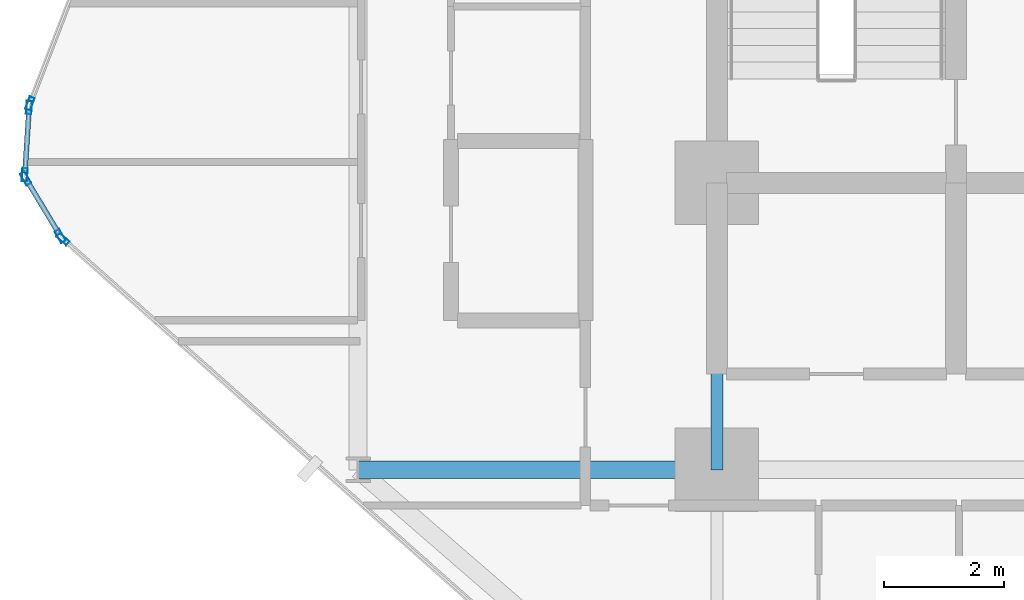
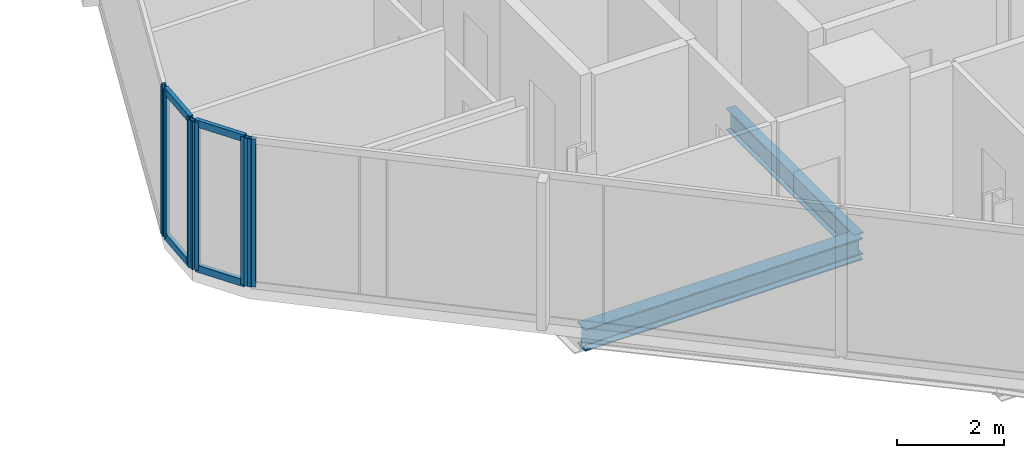
# One storey, part 5 of 34: 10 members, 2 beams, 4 elements without a shape of their own.
"""IFC4 building model written with IfcOpenShell, lengths in metres."""

from ifc_helpers import new_model, si_unit, direction, frame, origin, origin_2d, place, context, subcontext, project, spatial, hollow_rectangle, i_section, extrude, material, layer, layer_set, material_profile, profile_set, type_object, element, aggregate, save


model = new_model("IFC4")

# Units and contexts
model_context = context("Model", 3, precision=1e-05, world=origin(), true_north=direction((0.0, 1.0)))
body_context = subcontext(model_context, "Body", "Model", "MODEL_VIEW")
ifc_project = project(units=[si_unit("LENGTHUNIT", "METRE"), si_unit("AREAUNIT", "SQUARE_METRE"), si_unit("VOLUMEUNIT", "CUBIC_METRE"), si_unit("PLANEANGLEUNIT", "RADIAN"), si_unit("MASSUNIT", "GRAM", prefix="KILO")], contexts=[model_context])

# Site, building, storey
site_placement = place(None, origin())
site = spatial("IfcSite", under=ifc_project, at=site_placement, CompositionType="ELEMENT")
building_placement = place(site_placement, origin())
building = spatial("IfcBuilding", under=site, at=building_placement, Name="Keshet Zoharim Tower", CompositionType="ELEMENT")
storey_placement = place(building_placement, frame((0.0, 0.0, 38.800048828125)))
storey = spatial("IfcBuildingStorey", under=building, at=storey_placement, Name="L08", CompositionType="ELEMENT", Elevation=38.800048828125)

# Beams
ifc_material_1 = material(Name="Steel S355", Category="steel")
ifc_material_profile_1 = material_profile(ifc_material_1, i_section(OverallWidth=0.199951171875, OverallDepth=0.5, WebThickness=0.01025390625, FlangeThickness=0.01611328125, FilletRadius=0.02099609375, at=origin_2d()), Name="IPE500")
ifc_profile_set_1 = profile_set([ifc_material_profile_1], Name="Steel S355")
beam_type_1 = type_object("IfcBeamType", Name="BM-PRI-IP500", PredefinedType="BEAM", material=ifc_profile_set_1)
beam_1_placement = place(storey_placement, frame((15.0, 17.89990234375, -0.56494140625), z_axis=(0.0, 1.0, 0.0), x_axis=(-1.0, 0.0, 0.0)))
element("IfcBeam", 1, at=beam_1_placement, inside=storey, type_object=beam_type_1, Name="L08 Primary Girder Y-003", PredefinedType="BEAM", context=body_context, shape_type="SweptSolid", body=[
    extrude(i_section(OverallWidth=0.199951171875, OverallDepth=0.5, WebThickness=0.01025390625, FlangeThickness=0.01611328125, FilletRadius=0.02099609375, at=origin_2d()), origin(), (0.0, 0.0, 1.0), 4.800048828125),
])
ifc_material_profile_2 = material_profile(ifc_material_1, i_section(OverallWidth=0.300048828125, OverallDepth=0.5, WebThickness=0.014404296875, FlangeThickness=0.028076171875, FilletRadius=0.027099609375, at=origin_2d()), Name="HEB500")
ifc_profile_set_2 = profile_set([ifc_material_profile_2], Name="Steel S355")
beam_type_2 = type_object("IfcBeamType", Name="BM-WEB-HB500", PredefinedType="BEAM", material=ifc_profile_set_2)
beam_2_placement = place(storey_placement, frame((9.0, 17.89990234375, -0.56494140625), z_axis=(1.0, 0.0, 0.0), x_axis=(0.0, 1.0, 0.0)))
element("IfcBeam", 2, at=beam_2_placement, inside=storey, type_object=beam_type_2, Name="L08 Primary Girder X-015", PredefinedType="BEAM", context=body_context, shape_type="SweptSolid", body=[
    extrude(i_section(OverallWidth=0.300048828125, OverallDepth=0.5, WebThickness=0.014404296875, FlangeThickness=0.028076171875, FilletRadius=0.027099609375, at=origin_2d()), origin(), (0.0, 0.0, 1.0), 6.0),
])

# Curtain wall, member
ifc_material_2 = material(Name="Aluminium 6063-T6", Category="aluminium")
ifc_layer = layer(ifc_material_2, 0.179931640625)
ifc_layer_set = layer_set([ifc_layer], Name="Aluminium 6063-T6")
curtain_wall_type = type_object("IfcCurtainWallType", Name="CW-SYS-01", PredefinedType="NOTDEFINED", material=ifc_layer_set)
curtain_wall_1_placement = place(storey_placement, origin())
curtain_wall_1 = element("IfcCurtainWall", 3, at=curtain_wall_1_placement, inside=storey, type_object=curtain_wall_type, Name="L08 Unitised Curtain Wall 01", PredefinedType="NOTDEFINED")
ifc_material_profile_3 = material_profile(ifc_material_2, hollow_rectangle(XDim=0.090087890625, YDim=0.219970703125, WallThickness=0.0048828125, at=origin_2d()), Name="MUL-90x220")
ifc_profile_set_3 = profile_set([ifc_material_profile_3], Name="Aluminium 6063-T6")
member_type_1 = type_object("IfcMemberType", Name="CWM-M22", PredefinedType="MULLION", material=ifc_profile_set_3)
member_1_placement = place(storey_placement, frame((4.061279296875, 21.7568359375, 0.0), z_axis=(0.0, 0.0, 1.0), x_axis=(-0.664363838836, -0.747409318679, 0.0)))
member_1 = element("IfcMember", 4, at=member_1_placement, type_object=member_type_1, Name="CW-01 mullion 3", PredefinedType="MULLION", context=body_context, shape_type="SweptSolid", body=[
    extrude(hollow_rectangle(XDim=0.090087890625, YDim=0.219970703125, WallThickness=0.0048828125, at=origin_2d()), origin(), (0.0, 0.0, 1.0), 3.385009765625),
])
aggregate(curtain_wall_1, [member_1])

# Curtain wall, members
curtain_wall_2_placement = place(storey_placement, origin())
curtain_wall_2 = element("IfcCurtainWall", 5, at=curtain_wall_2_placement, inside=storey, type_object=curtain_wall_type, Name="L08 Unitised Curtain Wall 02", PredefinedType="NOTDEFINED")
member_2_placement = place(storey_placement, frame((4.016845703125, 21.81005859375, 0.0), z_axis=(0.0, 0.0, 1.0), x_axis=(-0.856826433805, -0.515604947933, 0.0)))
member_2 = element("IfcMember", 6, at=member_2_placement, type_object=member_type_1, Name="CW-01 mullion 1", PredefinedType="MULLION", context=body_context, shape_type="SweptSolid", body=[
    extrude(hollow_rectangle(XDim=0.090087890625, YDim=0.219970703125, WallThickness=0.0048828125, at=origin_2d()), origin(), (0.0, 0.0, 1.0), 3.385009765625),
])
member_3_placement = place(storey_placement, frame((3.43798828125, 22.77197265625, 0.0), z_axis=(0.0, 0.0, 1.0), x_axis=(-0.856826433805, -0.515604947933, 0.0)))
member_3 = element("IfcMember", 7, at=member_3_placement, type_object=member_type_1, Name="CW-01 mullion 2", PredefinedType="MULLION", context=body_context, shape_type="SweptSolid", body=[
    extrude(hollow_rectangle(XDim=0.090087890625, YDim=0.219970703125, WallThickness=0.0048828125, at=origin_2d()), origin(), (0.0, 0.0, 1.0), 3.385009765625),
])

curtain_wall_3_placement = place(storey_placement, origin())
curtain_wall_3 = element("IfcCurtainWall", 8, at=curtain_wall_3_placement, inside=storey, type_object=curtain_wall_type, Name="L08 Unitised Curtain Wall 03", PredefinedType="NOTDEFINED")
member_4_placement = place(storey_placement, frame((3.42236328125, 22.8369140625, 0.0), z_axis=(0.0, 0.0, 1.0), x_axis=(-0.997916617186, 0.064516859374, 0.0)))
member_4 = element("IfcMember", 9, at=member_4_placement, type_object=member_type_1, Name="CW-01 mullion 1", PredefinedType="MULLION", context=body_context, shape_type="SweptSolid", body=[
    extrude(hollow_rectangle(XDim=0.090087890625, YDim=0.219970703125, WallThickness=0.0048828125, at=origin_2d()), origin(), (0.0, 0.0, 1.0), 3.385009765625),
])
member_5_placement = place(storey_placement, frame((3.49462890625, 23.9580078125, 0.0), z_axis=(0.0, 0.0, 1.0), x_axis=(-0.997916617186, 0.064516859374, 0.0)))
member_5 = element("IfcMember", 10, at=member_5_placement, type_object=member_type_1, Name="CW-01 mullion 2", PredefinedType="MULLION", context=body_context, shape_type="SweptSolid", body=[
    extrude(hollow_rectangle(XDim=0.090087890625, YDim=0.219970703125, WallThickness=0.0048828125, at=origin_2d()), origin(), (0.0, 0.0, 1.0), 3.385009765625),
])

# Curtain wall, member
curtain_wall_4_placement = place(storey_placement, origin())
curtain_wall_4 = element("IfcCurtainWall", 11, at=curtain_wall_4_placement, inside=storey, type_object=curtain_wall_type, Name="L08 Unitised Curtain Wall 04", PredefinedType="NOTDEFINED")
member_6_placement = place(storey_placement, frame((3.509521484375, 24.025634765625, 0.0), z_axis=(0.0, 0.0, 1.0), x_axis=(-0.933341404361, 0.358990003907, 0.0)))
member_6 = element("IfcMember", 12, at=member_6_placement, type_object=member_type_1, Name="CW-01 mullion 1", PredefinedType="MULLION", context=body_context, shape_type="SweptSolid", body=[
    extrude(hollow_rectangle(XDim=0.090087890625, YDim=0.219970703125, WallThickness=0.0048828125, at=origin_2d()), origin(), (0.0, 0.0, 1.0), 3.385009765625),
])
aggregate(curtain_wall_4, [member_6])

# Member
ifc_material_profile_4 = material_profile(ifc_material_2, hollow_rectangle(XDim=0.0849609375, YDim=0.159912109375, WallThickness=0.00439453125, at=origin_2d()), Name="TRN-85x160")
ifc_profile_set_4 = profile_set([ifc_material_profile_4], Name="Aluminium 6063-T6")
member_type_2 = type_object("IfcMemberType", Name="CWT-T16", PredefinedType="USERDEFINED", material=ifc_profile_set_4)
member_7_placement = place(storey_placement, frame((3.9990234375, 21.840087890625, 0.034912109375), z_axis=(-0.515791194107, 0.856714330499, 0.0), x_axis=(-0.856714330499, -0.515791194107, 0.0)))
member_7 = element("IfcMember", 13, at=member_7_placement, type_object=member_type_2, Name="CW-01 transom 1.1", ObjectType="TRANSOM", PredefinedType="USERDEFINED", context=body_context, shape_type="SweptSolid", body=[
    extrude(hollow_rectangle(XDim=0.0849609375, YDim=0.159912109375, WallThickness=0.00439453125, at=origin_2d()), origin(), (0.0, 0.0, 1.0), 1.052734375),
])

member_8_placement = place(storey_placement, frame((3.9990234375, 21.840087890625, 3.349853515625), z_axis=(-0.515791194107, 0.856714330499, 0.0), x_axis=(-0.856714330499, -0.515791194107, 0.0)))
member_8 = element("IfcMember", 14, at=member_8_placement, type_object=member_type_2, Name="CW-01 transom 1.2", ObjectType="TRANSOM", PredefinedType="USERDEFINED", context=body_context, shape_type="SweptSolid", body=[
    extrude(hollow_rectangle(XDim=0.0849609375, YDim=0.159912109375, WallThickness=0.00439453125, at=origin_2d()), origin(), (0.0, 0.0, 1.0), 1.052734375),
])

aggregate(curtain_wall_2, [member_2, member_3, member_7, member_8])

member_9_placement = place(storey_placement, frame((3.424560546875, 22.871826171875, 0.034912109375), z_axis=(0.064426947155, 0.997922426083, 0.0), x_axis=(-0.997922426083, 0.064426947155, 0.0)))
member_9 = element("IfcMember", 15, at=member_9_placement, type_object=member_type_2, Name="CW-01 transom 1.1", ObjectType="TRANSOM", PredefinedType="USERDEFINED", context=body_context, shape_type="SweptSolid", body=[
    extrude(hollow_rectangle(XDim=0.0849609375, YDim=0.159912109375, WallThickness=0.00439453125, at=origin_2d()), origin(), (0.0, 0.0, 1.0), 1.053466796875),
])

member_10_placement = place(storey_placement, frame((3.424560546875, 22.871826171875, 3.349853515625), z_axis=(0.064426947155, 0.997922426083, 0.0), x_axis=(-0.997922426083, 0.064426947155, 0.0)))
member_10 = element("IfcMember", 16, at=member_10_placement, type_object=member_type_2, Name="CW-01 transom 1.2", ObjectType="TRANSOM", PredefinedType="USERDEFINED", context=body_context, shape_type="SweptSolid", body=[
    extrude(hollow_rectangle(XDim=0.0849609375, YDim=0.159912109375, WallThickness=0.00439453125, at=origin_2d()), origin(), (0.0, 0.0, 1.0), 1.053466796875),
])

aggregate(curtain_wall_3, [member_4, member_5, member_9, member_10])

save(model, "model.ifc")
